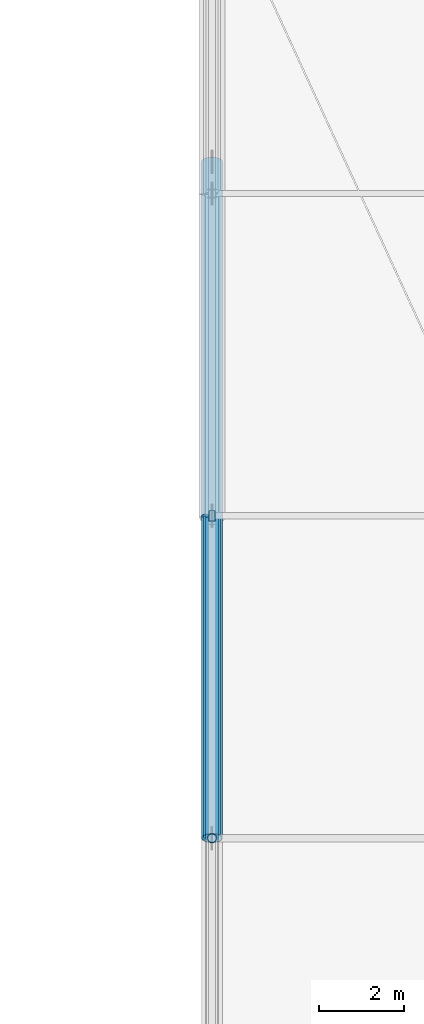
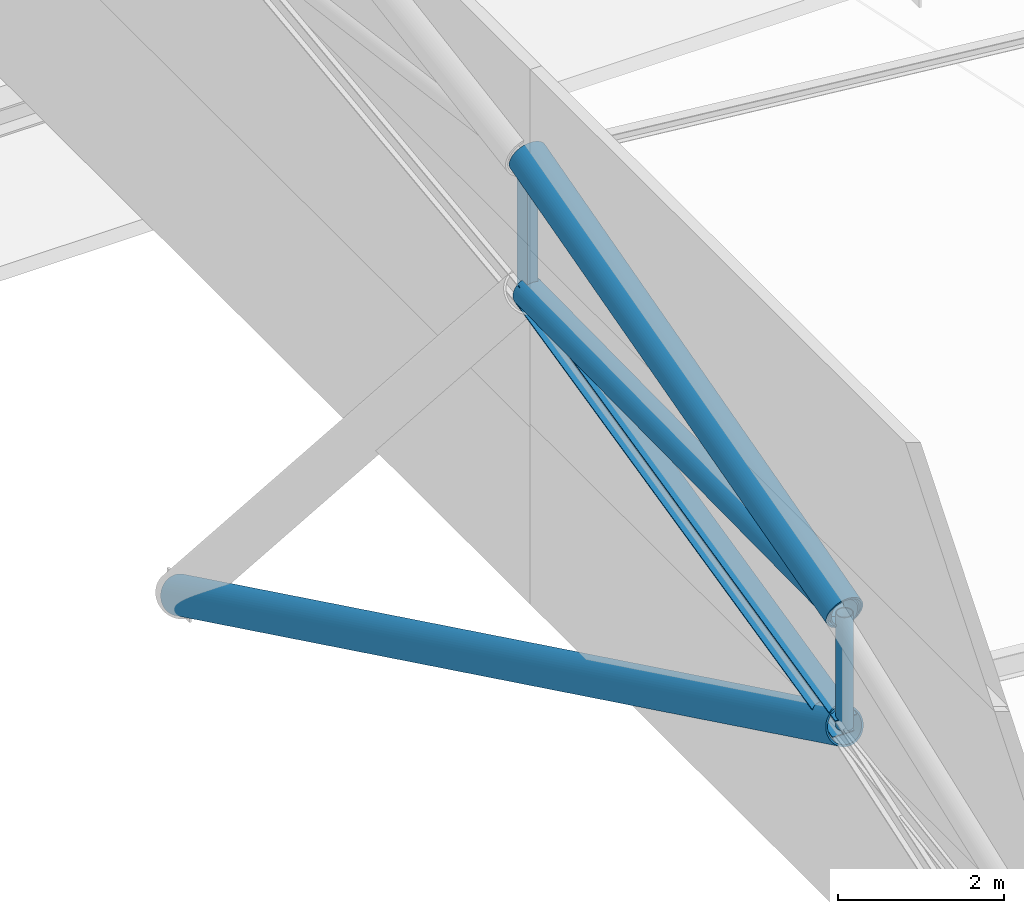
# One storey, part 24 of 113: 6 members.
"""IFC4 building model written with IfcOpenShell, lengths in metres."""

from ifc_helpers import new_model, si_unit, direction, frame, origin, origin_2d, place, context, subcontext, project, spatial, hollow_rectangle, hollow_circle, i_section, extrude, material, material_profile, profile_set, type_object, element, save


model = new_model("IFC4")

# Units and contexts
model_context = context("Model", 3, precision=1e-05, world=origin(), true_north=direction((0.0, 1.0)))
body_context = subcontext(model_context, "Body", "Model", "MODEL_VIEW")
ifc_project = project(units=[si_unit("LENGTHUNIT", "METRE"), si_unit("AREAUNIT", "SQUARE_METRE"), si_unit("VOLUMEUNIT", "CUBIC_METRE"), si_unit("PLANEANGLEUNIT", "RADIAN"), si_unit("MASSUNIT", "GRAM", prefix="KILO")], contexts=[model_context])

# Site, building, storey
site_placement = place(None, origin())
site = spatial("IfcSite", under=ifc_project, at=site_placement, CompositionType="ELEMENT")
building_placement = place(site_placement, origin())
building = spatial("IfcBuilding", under=site, at=building_placement, Name="Linyun Crest Stadium", CompositionType="ELEMENT")
storey_placement = place(building_placement, frame((0.0, 0.0, 26.39990234375)))
storey = spatial("IfcBuildingStorey", under=building, at=storey_placement, Name="L06", CompositionType="ELEMENT", Elevation=26.39990234375)

# Members
ifc_material_1 = material(Name="Steel Q420C", Category="steel")
ifc_material_profile_1 = material_profile(ifc_material_1, hollow_circle(Radius=0.25390625, WallThickness=0.02490234375, at=origin_2d()), Name="CHS 508x25")
ifc_profile_set_1 = profile_set([ifc_material_profile_1], Name="Steel Q420C")
member_type_1 = type_object("IfcMemberType", Name="TC01", PredefinedType="CHORD", material=ifc_profile_set_1)
member_1_placement = place(storey_placement, frame((-28.0, 76.25, 11.302001953125), z_axis=(0.0, -0.964911252302, -0.262576227373), x_axis=(1.0, 0.0, 0.0)))
element("IfcMember", 1, at=member_1_placement, inside=storey, type_object=member_type_1, Name="Roof truss top chord TC01 V3 370", PredefinedType="CHORD", context=body_context, shape_type="SweptSolid", body=[
    extrude(hollow_circle(Radius=0.25390625, WallThickness=0.02490234375, at=origin_2d()), origin(), (0.0, 0.0, 1.0), 7.90234375),
])
member_2_placement = place(storey_placement, frame((-28.0, 84.625, -0.21484375), z_axis=(0.0, -0.899366655037, 0.437195173587), x_axis=(1.0, 0.0, 0.0)))
element("IfcMember", 2, at=member_2_placement, inside=storey, type_object=member_type_1, Name="Roof arch forward V-strut TC01 V3 379", PredefinedType="CHORD", context=body_context, shape_type="SweptSolid", body=[
    extrude(hollow_circle(Radius=0.25390625, WallThickness=0.02490234375, at=origin_2d()), origin(), (0.0, 0.0, 1.0), 17.790283203125),
])
ifc_material_2 = material(Name="Steel Q355C", Category="steel")
ifc_material_profile_2 = material_profile(ifc_material_2, i_section(OverallWidth=0.300048828125, OverallDepth=0.300048828125, WebThickness=0.010009765625, FlangeThickness=0.014892578125, at=origin_2d()), Name="HW 300x300")
ifc_profile_set_2 = profile_set([ifc_material_profile_2], Name="Steel Q355C")
member_type_2 = type_object("IfcMemberType", Name="TC03", PredefinedType="CHORD", material=ifc_profile_set_2)
member_3_placement = place(storey_placement, frame((-28.0, 76.25, 9.326171875), z_axis=(0.0, -0.97429120452, -0.22529236293), x_axis=(1.0, 0.0, 0.0)))
element("IfcMember", 3, at=member_3_placement, inside=storey, type_object=member_type_2, Name="Roof truss bottom chord TC03 V3 371", PredefinedType="CHORD", context=body_context, shape_type="SweptSolid", body=[
    extrude(i_section(OverallWidth=0.300048828125, OverallDepth=0.300048828125, WebThickness=0.010009765625, FlangeThickness=0.014892578125, at=origin_2d()), origin(), (0.0, 0.0, 1.0), 7.826171875),
])
ifc_material_3 = material(Name="Steel Q420C", Category="steel")
ifc_material_profile_3 = material_profile(ifc_material_3, hollow_circle(Radius=0.202880859375, WallThickness=0.02001953125, at=origin_2d()), Name="CHS 406x20")
ifc_profile_set_3 = profile_set([ifc_material_profile_3], Name="Steel Q420C")
member_type_3 = type_object("IfcMemberType", Name="TD03", PredefinedType="BRACE", material=ifc_profile_set_3)
member_4_placement = place(storey_placement, frame((-28.0, 76.25, 9.326171875), z_axis=(0.0, -0.999915517367, -0.012998389474), x_axis=(1.0, 0.0, 0.0)))
element("IfcMember", 4, at=member_4_placement, inside=storey, type_object=member_type_3, Name="Roof truss diagonal TD03 V3 372", PredefinedType="BRACE", context=body_context, shape_type="SweptSolid", body=[
    extrude(hollow_circle(Radius=0.202880859375, WallThickness=0.02001953125, at=origin_2d()), origin(), (0.0, 0.0, 1.0), 7.625732421875),
])
ifc_material_4 = material(Name="Steel Q355C", Category="steel")
ifc_material_profile_4 = material_profile(ifc_material_4, hollow_circle(Radius=0.109619140625, WallThickness=0.011962890625, at=origin_2d()), Name="CHS 219x12")
ifc_profile_set_4 = profile_set([ifc_material_profile_4], Name="Steel Q355C")
member_type_4 = type_object("IfcMemberType", Name="TV01", PredefinedType="STRUT", material=ifc_profile_set_4)
member_5_placement = place(storey_placement, frame((-28.0, 68.625, 7.56298828125), z_axis=(0.0, 0.0, 1.0), x_axis=(1.0, 0.0, 0.0)))
element("IfcMember", 5, at=member_5_placement, inside=storey, type_object=member_type_4, Name="Roof vertical strut TV01 V3 377", PredefinedType="STRUT", context=body_context, shape_type="SweptSolid", body=[
    extrude(hollow_circle(Radius=0.109619140625, WallThickness=0.011962890625, at=origin_2d()), origin(), (0.0, 0.0, 1.0), 1.6640625),
])
ifc_material_5 = material(Name="Steel Q355C", Category="steel")
ifc_material_profile_5 = material_profile(ifc_material_5, hollow_rectangle(XDim=0.14990234375, YDim=0.25, WallThickness=0.010009765625, at=origin_2d()), Name="RHS 250x150x10")
ifc_profile_set_5 = profile_set([ifc_material_profile_5], Name="Steel Q355C")
member_type_5 = type_object("IfcMemberType", Name="TV03", PredefinedType="STRUT", material=ifc_profile_set_5)
member_6_placement = place(storey_placement, frame((-28.0, 76.25, 9.326171875), z_axis=(0.0, 0.0, 1.0), x_axis=(1.0, 0.0, 0.0)))
element("IfcMember", 6, at=member_6_placement, inside=storey, type_object=member_type_5, Name="Roof vertical strut TV03 V3 373", PredefinedType="STRUT", context=body_context, shape_type="SweptSolid", body=[
    extrude(hollow_rectangle(XDim=0.14990234375, YDim=0.25, WallThickness=0.010009765625, at=origin_2d()), origin(), (0.0, 0.0, 1.0), 1.975830078125),
])

save(model, "model.ifc")
